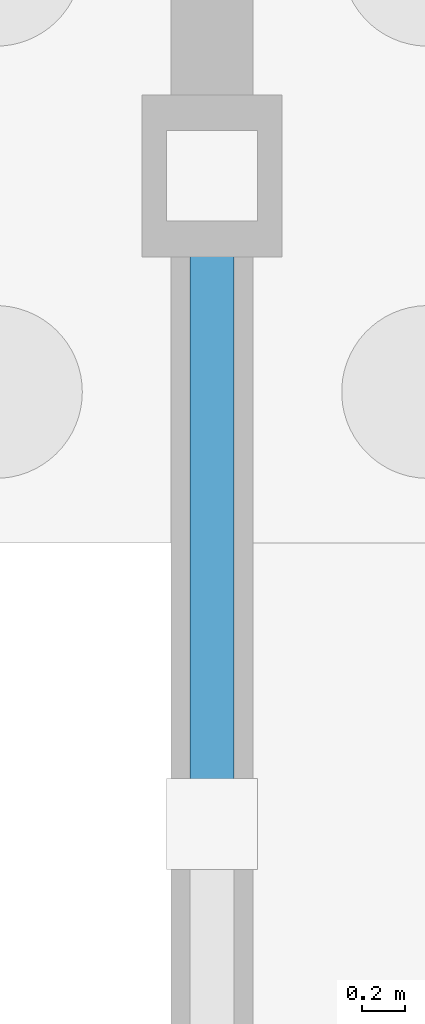
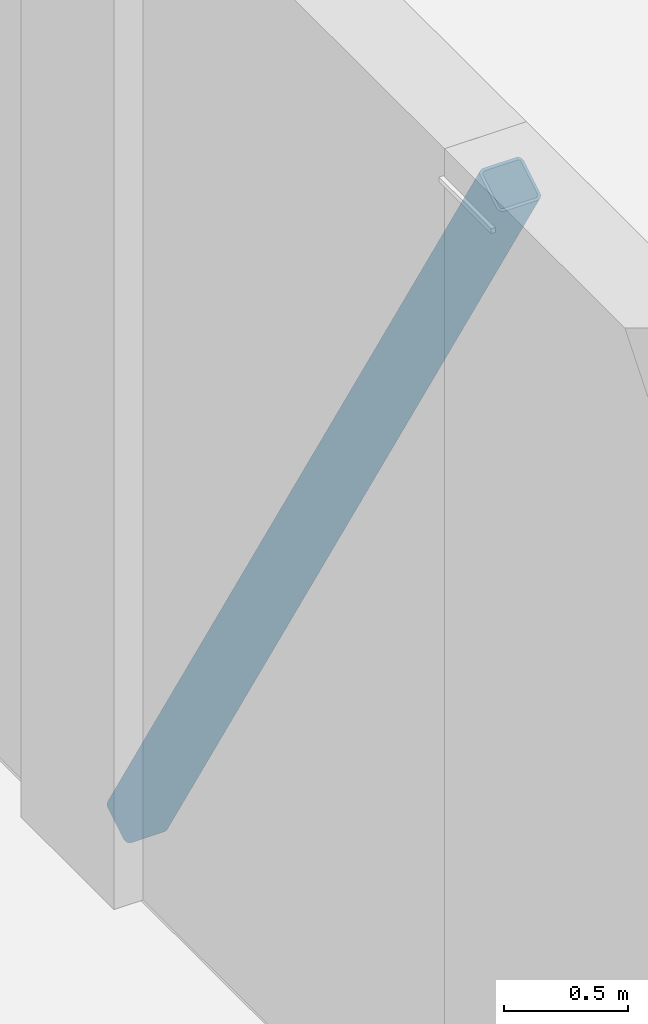
# One storey, part 10 of 69: 1 member.
"""IFC4 building model written with IfcOpenShell, lengths in metres."""

from ifc_helpers import new_model, si_unit, direction, frame, origin, origin_2d, place, context, subcontext, project, spatial, hollow_rectangle, extrude, material, material_profile, profile_set, type_object, element, save


model = new_model("IFC4")

# Units and contexts
model_context = context("Model", 3, precision=1e-05, world=origin(), true_north=direction((0.0, 1.0)))
body_context = subcontext(model_context, "Body", "Model", "MODEL_VIEW")
ifc_project = project(units=[si_unit("LENGTHUNIT", "METRE"), si_unit("AREAUNIT", "SQUARE_METRE"), si_unit("VOLUMEUNIT", "CUBIC_METRE"), si_unit("PLANEANGLEUNIT", "RADIAN"), si_unit("MASSUNIT", "GRAM", prefix="KILO")], contexts=[model_context])

# Site, building, storey
site_placement = place(None, origin())
site = spatial("IfcSite", under=ifc_project, at=site_placement, CompositionType="ELEMENT")
building_placement = place(site_placement, origin())
building = spatial("IfcBuilding", under=site, at=building_placement, Name="Solvane Community Centre", CompositionType="ELEMENT")
storey_placement = place(building_placement, origin())
storey = spatial("IfcBuildingStorey", under=building, at=storey_placement, Name="L00", CompositionType="ELEMENT", Elevation=0.0)

# Member
ifc_material = material(Name="Steel ASTM A572 Grade 50", Category="steel")
ifc_material_profile = material_profile(ifc_material, hollow_rectangle(XDim=0.203125, YDim=0.203125, WallThickness=0.0126953125, InnerFilletRadius=0.0126953125, OuterFilletRadius=0.025390625, at=origin_2d()), Name="HSS 203x203x12.7")
ifc_profile_set = profile_set([ifc_material_profile], Name="Steel ASTM A572 Grade 50")
member_type = type_object("IfcMemberType", Name="Heavy Frame Seismic Brace HSS203", PredefinedType="BRACE", material=ifc_profile_set)
member_placement = place(storey_placement, frame((6.0, 60.0, 0.1201171875), z_axis=(0.0, -0.520613450524, 0.853792501217), x_axis=(1.0, 0.0, 0.0)))
element("IfcMember", 1, at=member_placement, inside=storey, type_object=member_type, Name="Member MEM-L00-0377", PredefinedType="BRACE", context=body_context, shape_type="SweptSolid", body=[
    extrude(hollow_rectangle(XDim=0.203125, YDim=0.203125, WallThickness=0.0126953125, InnerFilletRadius=0.0126953125, OuterFilletRadius=0.025390625, at=origin_2d()), origin(), (0.0, 0.0, 1.0), 5.762451171875),
])

save(model, "model.ifc")
